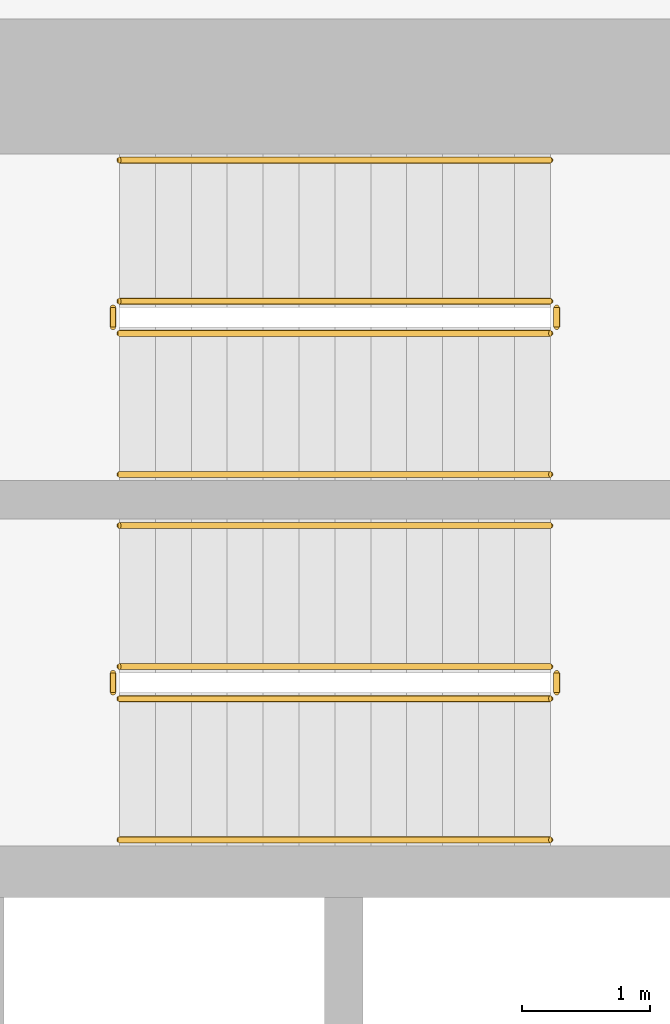
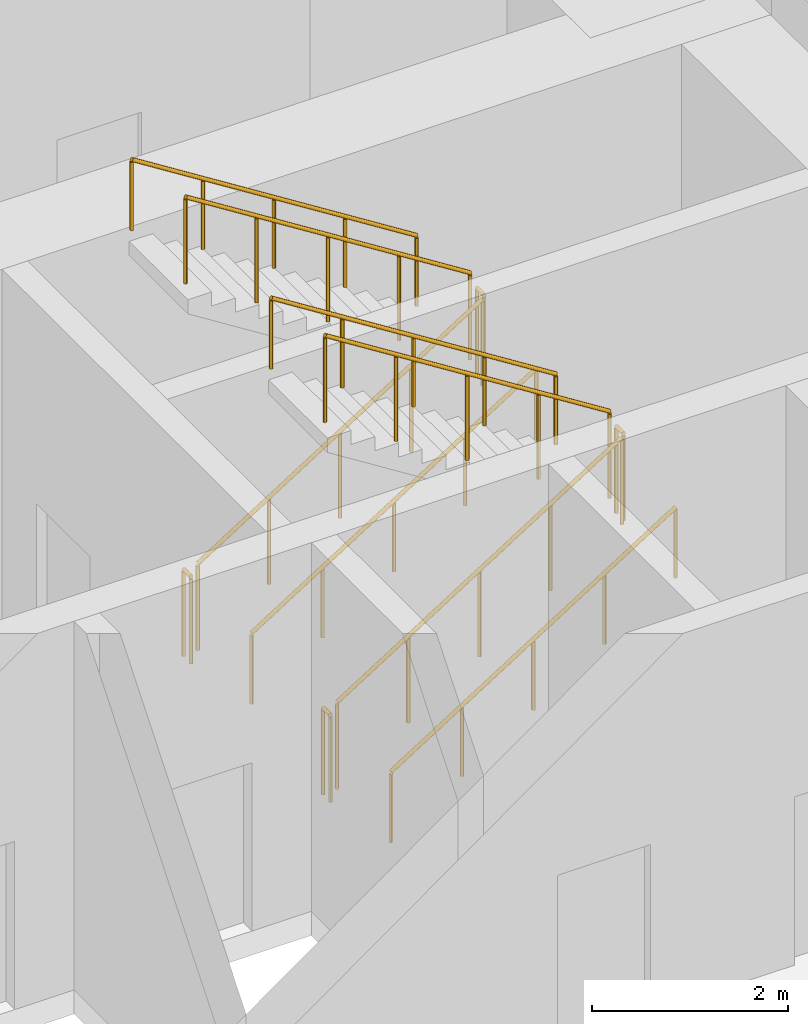
# One storey, part 16 of 17: 12 railings.
"""IFC4 building model written with IfcOpenShell, lengths in metres."""

from ifc_helpers import new_model, si_unit, direction, frame, origin, origin_2d, place, context, subcontext, project, spatial, circle, extrude, material, type_object, element, save


model = new_model("IFC4")

# Units and contexts
model_context = context("Model", 3, precision=1e-05, world=origin(), true_north=direction((0.0, 1.0)))
body_context = subcontext(model_context, "Body", "Model", "MODEL_VIEW")
ifc_project = project(units=[si_unit("LENGTHUNIT", "METRE"), si_unit("AREAUNIT", "SQUARE_METRE"), si_unit("VOLUMEUNIT", "CUBIC_METRE"), si_unit("PLANEANGLEUNIT", "RADIAN"), si_unit("MASSUNIT", "GRAM", prefix="KILO")], contexts=[model_context])

# Site, building, storey
site_placement = place(None, origin())
site = spatial("IfcSite", under=ifc_project, at=site_placement, CompositionType="ELEMENT")
building_placement = place(site_placement, origin())
building = spatial("IfcBuilding", under=site, at=building_placement, Name="Ostrand Prow Hotel Tower", CompositionType="ELEMENT")
storey_placement = place(building_placement, frame((0.0, 0.0, 80.300048828125)))
storey = spatial("IfcBuildingStorey", under=building, at=storey_placement, Name="L18", CompositionType="ELEMENT", Elevation=80.300048828125)

# Railings
ifc_material_1 = material(Name="Painted steel", Category="steel")
railing_type_1 = type_object("IfcRailingType", Name="Stair guard 1100", PredefinedType="GUARDRAIL", material=ifc_material_1)
railing_1_placement = place(storey_placement, frame((57.199951171875, 11.5, 0.1767578125)))
element("IfcRailing", 1, at=railing_1_placement, inside=storey, type_object=railing_type_1, Name="L18 ST1C stair guard 1", PredefinedType="GUARDRAIL", context=body_context, shape_type="SweptSolid", body=[
    extrude(circle(Radius=0.02392578125, at=origin_2d()), frame((0.0, 0.0, 1.076171875), z_axis=(0.845361898145, 0.0, 0.534194029511), x_axis=(0.0, 1.0, 0.0)), (0.0, 0.0, 1.0), 3.974853515625),
    extrude(circle(Radius=0.02099609375, at=origin_2d()), origin(), (0.0, 0.0, 1.0), 1.052001953125),
    extrude(circle(Radius=0.02099609375, at=origin_2d()), frame((0.840087890625, 0.0, 0.53076171875)), (0.0, 0.0, 1.0), 1.052001953125),
    extrude(circle(Radius=0.02099609375, at=origin_2d()), frame((1.68017578125, 0.0, 1.0615234375)), (0.0, 0.0, 1.0), 1.052001953125),
    extrude(circle(Radius=0.02099609375, at=origin_2d()), frame((2.52001953125, 0.0, 1.592529296875)), (0.0, 0.0, 1.0), 1.052001953125),
    extrude(circle(Radius=0.02099609375, at=origin_2d()), frame((3.360107421875, 0.0, 2.123291015625)), (0.0, 0.0, 1.0), 1.052001953125),
])
railing_2_placement = place(storey_placement, frame((60.610107421875, 11.550048828125, 2.300048828125)))
element("IfcRailing", 2, at=railing_2_placement, inside=storey, type_object=railing_type_1, Name="L18 ST1C stair guard 2", PredefinedType="GUARDRAIL", context=body_context, shape_type="SweptSolid", body=[
    extrude(circle(Radius=0.02392578125, at=origin_2d()), frame((0.0, 0.0, 1.076171875), z_axis=(0.0, 1.0, 0.0), x_axis=(-1.0, 0.0, 0.0)), (0.0, 0.0, 1.0), 0.14990234375),
    extrude(circle(Radius=0.02099609375, at=origin_2d()), origin(), (0.0, 0.0, 1.0), 1.052001953125),
    extrude(circle(Radius=0.02099609375, at=origin_2d()), frame((0.0, 0.14990234375, 0.0)), (0.0, 0.0, 1.0), 1.052001953125),
])
railing_3_placement = place(storey_placement, frame((60.56005859375, 11.75, 2.476806640625)))
element("IfcRailing", 3, at=railing_3_placement, inside=storey, type_object=railing_type_1, Name="L18 ST1C stair guard 3", PredefinedType="GUARDRAIL", context=body_context, shape_type="SweptSolid", body=[
    extrude(circle(Radius=0.02392578125, at=origin_2d()), frame((0.0, 0.0, 1.076171875), z_axis=(-0.845389635667, 0.0, 0.534150132366), x_axis=(0.0, -1.0, 0.0)), (0.0, 0.0, 1.0), 3.974609375),
    extrude(circle(Radius=0.02099609375, at=origin_2d()), origin(), (0.0, 0.0, 1.0), 1.052001953125),
    extrude(circle(Radius=0.02099609375, at=origin_2d()), frame((-0.840087890625, 0.0, 0.53076171875)), (0.0, 0.0, 1.0), 1.052001953125),
    extrude(circle(Radius=0.02099609375, at=origin_2d()), frame((-1.68017578125, 0.0, 1.0615234375)), (0.0, 0.0, 1.0), 1.052001953125),
    extrude(circle(Radius=0.02099609375, at=origin_2d()), frame((-2.52001953125, 0.0, 1.59228515625)), (0.0, 0.0, 1.0), 1.052001953125),
    extrude(circle(Radius=0.02099609375, at=origin_2d()), frame((-3.360107421875, 0.0, 2.123046875)), (0.0, 0.0, 1.0), 1.052001953125),
])
railing_4_placement = place(storey_placement, frame((57.14990234375, 11.550048828125, 0.0)))
element("IfcRailing", 4, at=railing_4_placement, inside=storey, type_object=railing_type_1, Name="L18 ST1C stair guard 4", PredefinedType="GUARDRAIL", context=body_context, shape_type="SweptSolid", body=[
    extrude(circle(Radius=0.02392578125, at=origin_2d()), frame((0.0, 0.0, 1.076171875), z_axis=(0.0, 1.0, 0.0), x_axis=(-1.0, 0.0, 0.0)), (0.0, 0.0, 1.0), 0.14990234375),
    extrude(circle(Radius=0.02099609375, at=origin_2d()), origin(), (0.0, 0.0, 1.0), 1.052001953125),
    extrude(circle(Radius=0.02099609375, at=origin_2d()), frame((0.0, 0.14990234375, 0.0)), (0.0, 0.0, 1.0), 1.052001953125),
])
railing_5_placement = place(storey_placement, frame((57.199951171875, 14.35009765625, 0.1767578125)))
element("IfcRailing", 5, at=railing_5_placement, inside=storey, type_object=railing_type_1, Name="L18 ST3C stair guard 1", PredefinedType="GUARDRAIL", context=body_context, shape_type="SweptSolid", body=[
    extrude(circle(Radius=0.02392578125, at=origin_2d()), frame((0.0, 0.0, 1.076171875), z_axis=(0.845361898145, 0.0, 0.534194029511), x_axis=(0.0, 1.0, 0.0)), (0.0, 0.0, 1.0), 3.974853515625),
    extrude(circle(Radius=0.02099609375, at=origin_2d()), origin(), (0.0, 0.0, 1.0), 1.052001953125),
    extrude(circle(Radius=0.02099609375, at=origin_2d()), frame((0.840087890625, 0.0, 0.53076171875)), (0.0, 0.0, 1.0), 1.052001953125),
    extrude(circle(Radius=0.02099609375, at=origin_2d()), frame((1.68017578125, 0.0, 1.0615234375)), (0.0, 0.0, 1.0), 1.052001953125),
    extrude(circle(Radius=0.02099609375, at=origin_2d()), frame((2.52001953125, 0.0, 1.592529296875)), (0.0, 0.0, 1.0), 1.052001953125),
    extrude(circle(Radius=0.02099609375, at=origin_2d()), frame((3.360107421875, 0.0, 2.123291015625)), (0.0, 0.0, 1.0), 1.052001953125),
])
railing_6_placement = place(storey_placement, frame((60.610107421875, 14.39990234375, 2.300048828125)))
element("IfcRailing", 6, at=railing_6_placement, inside=storey, type_object=railing_type_1, Name="L18 ST3C stair guard 2", PredefinedType="GUARDRAIL", context=body_context, shape_type="SweptSolid", body=[
    extrude(circle(Radius=0.02392578125, at=origin_2d()), frame((0.0, 0.0, 1.076171875), z_axis=(0.0, 1.0, 0.0), x_axis=(-1.0, 0.0, 0.0)), (0.0, 0.0, 1.0), 0.150146484375),
    extrude(circle(Radius=0.02099609375, at=origin_2d()), origin(), (0.0, 0.0, 1.0), 1.052001953125),
    extrude(circle(Radius=0.02099609375, at=origin_2d()), frame((0.0, 0.150146484375, 0.0)), (0.0, 0.0, 1.0), 1.052001953125),
])
railing_7_placement = place(storey_placement, frame((60.56005859375, 14.60009765625, 2.476806640625)))
element("IfcRailing", 7, at=railing_7_placement, inside=storey, type_object=railing_type_1, Name="L18 ST3C stair guard 3", PredefinedType="GUARDRAIL", context=body_context, shape_type="SweptSolid", body=[
    extrude(circle(Radius=0.02392578125, at=origin_2d()), frame((0.0, 0.0, 1.076171875), z_axis=(-0.845389635667, 0.0, 0.534150132366), x_axis=(0.0, -1.0, 0.0)), (0.0, 0.0, 1.0), 3.974609375),
    extrude(circle(Radius=0.02099609375, at=origin_2d()), origin(), (0.0, 0.0, 1.0), 1.052001953125),
    extrude(circle(Radius=0.02099609375, at=origin_2d()), frame((-0.840087890625, 0.0, 0.53076171875)), (0.0, 0.0, 1.0), 1.052001953125),
    extrude(circle(Radius=0.02099609375, at=origin_2d()), frame((-1.68017578125, 0.0, 1.0615234375)), (0.0, 0.0, 1.0), 1.052001953125),
    extrude(circle(Radius=0.02099609375, at=origin_2d()), frame((-2.52001953125, 0.0, 1.59228515625)), (0.0, 0.0, 1.0), 1.052001953125),
    extrude(circle(Radius=0.02099609375, at=origin_2d()), frame((-3.360107421875, 0.0, 2.123046875)), (0.0, 0.0, 1.0), 1.052001953125),
])
railing_8_placement = place(storey_placement, frame((57.14990234375, 14.39990234375, 0.0)))
element("IfcRailing", 8, at=railing_8_placement, inside=storey, type_object=railing_type_1, Name="L18 ST3C stair guard 4", PredefinedType="GUARDRAIL", context=body_context, shape_type="SweptSolid", body=[
    extrude(circle(Radius=0.02392578125, at=origin_2d()), frame((0.0, 0.0, 1.076171875), z_axis=(0.0, 1.0, 0.0), x_axis=(-1.0, 0.0, 0.0)), (0.0, 0.0, 1.0), 0.150146484375),
    extrude(circle(Radius=0.02099609375, at=origin_2d()), origin(), (0.0, 0.0, 1.0), 1.052001953125),
    extrude(circle(Radius=0.02099609375, at=origin_2d()), frame((0.0, 0.150146484375, 0.0)), (0.0, 0.0, 1.0), 1.052001953125),
])
ifc_material_2 = material(Name="Stainless steel", Category="steel")
railing_type_2 = type_object("IfcRailingType", Name="Stair handrail 900", PredefinedType="HANDRAIL", material=ifc_material_2)
railing_9_placement = place(storey_placement, frame((57.199951171875, 10.39990234375, 0.1767578125)))
element("IfcRailing", 9, at=railing_9_placement, inside=storey, type_object=railing_type_2, Name="L18 ST1C stair handrail 1", PredefinedType="HANDRAIL", context=body_context, shape_type="SweptSolid", body=[
    extrude(circle(Radius=0.02392578125, at=origin_2d()), frame((0.0, 0.0, 0.8759765625), z_axis=(0.845361898145, 0.0, 0.534194029511), x_axis=(0.0, 1.0, 0.0)), (0.0, 0.0, 1.0), 3.974853515625),
    extrude(circle(Radius=0.02099609375, at=origin_2d()), origin(), (0.0, 0.0, 1.0), 0.851806640625),
    extrude(circle(Radius=0.02099609375, at=origin_2d()), frame((0.840087890625, 0.0, 0.53076171875)), (0.0, 0.0, 1.0), 0.851806640625),
    extrude(circle(Radius=0.02099609375, at=origin_2d()), frame((1.68017578125, 0.0, 1.0615234375)), (0.0, 0.0, 1.0), 0.851806640625),
    extrude(circle(Radius=0.02099609375, at=origin_2d()), frame((2.52001953125, 0.0, 1.592529296875)), (0.0, 0.0, 1.0), 0.851806640625),
    extrude(circle(Radius=0.02099609375, at=origin_2d()), frame((3.360107421875, 0.0, 2.123291015625)), (0.0, 0.0, 1.0), 0.851806640625),
])
railing_10_placement = place(storey_placement, frame((60.56005859375, 12.85009765625, 2.476806640625)))
element("IfcRailing", 10, at=railing_10_placement, inside=storey, type_object=railing_type_2, Name="L18 ST1C stair handrail 2", PredefinedType="HANDRAIL", context=body_context, shape_type="SweptSolid", body=[
    extrude(circle(Radius=0.02392578125, at=origin_2d()), frame((0.0, 0.0, 0.8759765625), z_axis=(-0.845389635667, 0.0, 0.534150132366), x_axis=(0.0, -1.0, 0.0)), (0.0, 0.0, 1.0), 3.974609375),
    extrude(circle(Radius=0.02099609375, at=origin_2d()), origin(), (0.0, 0.0, 1.0), 0.851806640625),
    extrude(circle(Radius=0.02099609375, at=origin_2d()), frame((-0.840087890625, 0.0, 0.53076171875)), (0.0, 0.0, 1.0), 0.851806640625),
    extrude(circle(Radius=0.02099609375, at=origin_2d()), frame((-1.68017578125, 0.0, 1.0615234375)), (0.0, 0.0, 1.0), 0.851806640625),
    extrude(circle(Radius=0.02099609375, at=origin_2d()), frame((-2.52001953125, 0.0, 1.59228515625)), (0.0, 0.0, 1.0), 0.851806640625),
    extrude(circle(Radius=0.02099609375, at=origin_2d()), frame((-3.360107421875, 0.0, 2.123046875)), (0.0, 0.0, 1.0), 0.851806640625),
])
railing_11_placement = place(storey_placement, frame((57.199951171875, 13.25, 0.1767578125)))
element("IfcRailing", 11, at=railing_11_placement, inside=storey, type_object=railing_type_2, Name="L18 ST3C stair handrail 1", PredefinedType="HANDRAIL", context=body_context, shape_type="SweptSolid", body=[
    extrude(circle(Radius=0.02392578125, at=origin_2d()), frame((0.0, 0.0, 0.8759765625), z_axis=(0.845361898145, 0.0, 0.534194029511), x_axis=(0.0, 1.0, 0.0)), (0.0, 0.0, 1.0), 3.974853515625),
    extrude(circle(Radius=0.02099609375, at=origin_2d()), origin(), (0.0, 0.0, 1.0), 0.851806640625),
    extrude(circle(Radius=0.02099609375, at=origin_2d()), frame((0.840087890625, 0.0, 0.53076171875)), (0.0, 0.0, 1.0), 0.851806640625),
    extrude(circle(Radius=0.02099609375, at=origin_2d()), frame((1.68017578125, 0.0, 1.0615234375)), (0.0, 0.0, 1.0), 0.851806640625),
    extrude(circle(Radius=0.02099609375, at=origin_2d()), frame((2.52001953125, 0.0, 1.592529296875)), (0.0, 0.0, 1.0), 0.851806640625),
    extrude(circle(Radius=0.02099609375, at=origin_2d()), frame((3.360107421875, 0.0, 2.123291015625)), (0.0, 0.0, 1.0), 0.851806640625),
])
railing_12_placement = place(storey_placement, frame((60.56005859375, 15.699951171875, 2.476806640625)))
element("IfcRailing", 12, at=railing_12_placement, inside=storey, type_object=railing_type_2, Name="L18 ST3C stair handrail 2", PredefinedType="HANDRAIL", context=body_context, shape_type="SweptSolid", body=[
    extrude(circle(Radius=0.02392578125, at=origin_2d()), frame((0.0, 0.0, 0.8759765625), z_axis=(-0.845389635667, 0.0, 0.534150132366), x_axis=(0.0, -1.0, 0.0)), (0.0, 0.0, 1.0), 3.974609375),
    extrude(circle(Radius=0.02099609375, at=origin_2d()), origin(), (0.0, 0.0, 1.0), 0.851806640625),
    extrude(circle(Radius=0.02099609375, at=origin_2d()), frame((-0.840087890625, 0.0, 0.53076171875)), (0.0, 0.0, 1.0), 0.851806640625),
    extrude(circle(Radius=0.02099609375, at=origin_2d()), frame((-1.68017578125, 0.0, 1.0615234375)), (0.0, 0.0, 1.0), 0.851806640625),
    extrude(circle(Radius=0.02099609375, at=origin_2d()), frame((-2.52001953125, 0.0, 1.59228515625)), (0.0, 0.0, 1.0), 0.851806640625),
    extrude(circle(Radius=0.02099609375, at=origin_2d()), frame((-3.360107421875, 0.0, 2.123046875)), (0.0, 0.0, 1.0), 0.851806640625),
])

save(model, "model.ifc")
